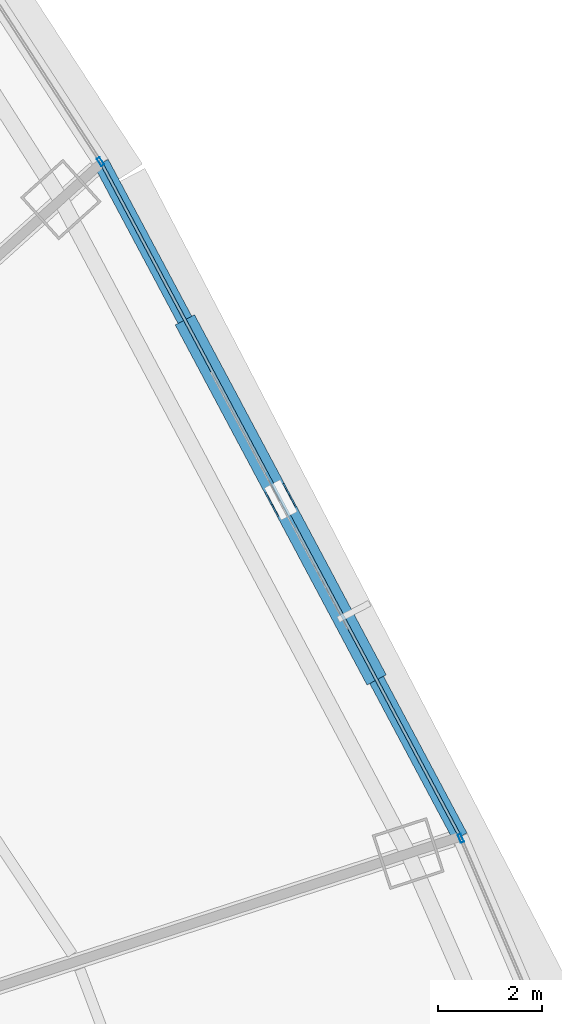
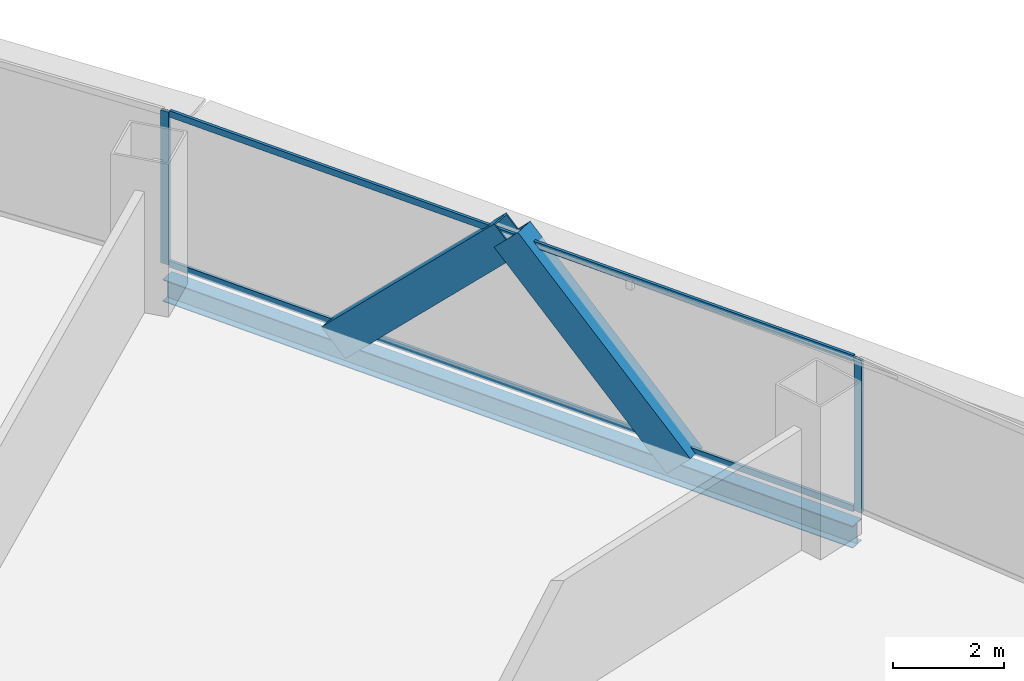
# One storey, part 24 of 40: 6 members, 1 beam, 3 elements without a shape of their own.
"""IFC4 building model written with IfcOpenShell, lengths in metres."""

from ifc_helpers import new_model, si_unit, direction, frame, origin, origin_2d, place, context, subcontext, project, spatial, hollow_rectangle, i_section, extrude, source, transform, mapped, material, layer, layer_set, material_profile, profile_set, type_object, element, aggregate, save


model = new_model("IFC4")

# Units and contexts
model_context = context("Model", 3, precision=1e-05, world=origin(), true_north=direction((0.0, 1.0)))
body_context = subcontext(model_context, "Body", "Model", "MODEL_VIEW")
ifc_project = project(units=[si_unit("LENGTHUNIT", "METRE"), si_unit("AREAUNIT", "SQUARE_METRE"), si_unit("VOLUMEUNIT", "CUBIC_METRE"), si_unit("PLANEANGLEUNIT", "RADIAN"), si_unit("MASSUNIT", "GRAM", prefix="KILO"), si_unit("THERMODYNAMICTEMPERATUREUNIT", "KELVIN"), si_unit("POWERUNIT", "WATT")], contexts=[model_context])

# Site, building, storey
site_placement = place(None, origin())
site = spatial("IfcSite", under=ifc_project, at=site_placement, CompositionType="ELEMENT")
building_placement = place(site_placement, origin())
building = spatial("IfcBuilding", under=site, at=building_placement, Name="Yunzhuo Pagoda Commons", CompositionType="ELEMENT")
storey_placement = place(building_placement, frame((0.0, 0.0, 66.699951171875)))
storey = spatial("IfcBuildingStorey", under=building, at=storey_placement, Name="L17", CompositionType="ELEMENT", Elevation=66.699951171875)

# Beam
ifc_material_1 = material(Name="Structural steel Q355B", Category="steel")
ifc_material_profile_1 = material_profile(ifc_material_1, i_section(OverallWidth=0.300048828125, OverallDepth=0.488037109375, WebThickness=0.010986328125, FlangeThickness=0.01806640625, at=origin_2d()), Name="Structural steel Q355B")
ifc_profile_set_1 = profile_set([ifc_material_profile_1], Name="Structural steel Q355B")
beam_type = type_object("IfcBeamType", Name="B-SP1 Beam HM 488x300x11x18", PredefinedType="BEAM", material=ifc_profile_set_1)
shared_shape_1 = source(origin(), body_context, "Body", "SweptSolid", [
    extrude(i_section(OverallWidth=0.300048828125, OverallDepth=0.488037109375, WebThickness=0.010986328125, FlangeThickness=0.01806640625, at=origin_2d()), origin(), (0.0, 0.0, 1.0), 14.68994140625),
])
beam_placement = place(storey_placement, frame((81.333984375, 44.531005859375, -0.50390625), z_axis=(-0.470054191836, 0.882637556836, 0.0), x_axis=(-0.882637556836, -0.470054191836, 0.0)))
element("IfcBeam", 1, at=beam_placement, inside=storey, type_object=beam_type, Name="L17 facade edge spandrel beam F2.2", PredefinedType="BEAM", context=body_context, shape_type="MappedRepresentation", body=[
    mapped(shared_shape_1, transform((0.0, 0.0, 0.0), scale=1.0)),
])

# Members
ifc_material_2 = material(Name="Structural steel Q420B", Category="steel")
ifc_material_profile_2 = material_profile(ifc_material_2, hollow_rectangle(XDim=0.419921875, YDim=0.719970703125, WallThickness=0.028076171875, at=origin_2d()), Name="Structural steel Q420B")
ifc_profile_set_2 = profile_set([ifc_material_profile_2], Name="Structural steel Q420B")
member_type_1 = type_object("IfcMemberType", Name="M-DL1 Brace BOX 720x420x28", PredefinedType="BRACE", material=ifc_profile_set_2)
shared_shape_2 = source(origin(), body_context, "Body", "SweptSolid", [
    extrude(hollow_rectangle(XDim=0.419921875, YDim=0.719970703125, WallThickness=0.028076171875, at=origin_2d()), origin(), (0.0, 0.0, 1.0), 5.163818359375),
])
for number, where, z_axis, x_axis, name in (
    (2, (79.60791015625, 47.7724609375, -0.260009765625), (-0.334310385921, 0.627724366267, 0.702992664158), (-0.882630661501, -0.470067139224, 0.0), "L17 facade diamond brace F2.2L"),
    (3, (76.1552734375, 54.25537109375, -0.260009765625), (0.334310385921, -0.627724366267, 0.702992664158), (0.882630661501, 0.470067139224, 0.0), "L17 facade diamond brace F2.2R"),
):
    element("IfcMember", number, at=place(storey_placement, frame(where, z_axis=z_axis, x_axis=x_axis)), inside=storey, type_object=member_type_1, Name=name, PredefinedType="BRACE", context=body_context, shape_type="MappedRepresentation", body=[
        mapped(shared_shape_2, transform((0.0, 0.0, 0.0), scale=1.0)),
    ])

# Curtain wall, member
ifc_material_3 = material(Name="Anodized aluminium 6063-T6", Category="aluminium")
ifc_layer = layer(ifc_material_3, 0.1650390625)
ifc_layer_set = layer_set([ifc_layer], Name="Anodized aluminium 6063-T6")
curtain_wall_type = type_object("IfcCurtainWallType", Name="CW-LOW Low-Zone Ribbon Curtain Wall", PredefinedType="NOTDEFINED", material=ifc_layer_set)
curtain_wall_1_placement = place(storey_placement, origin())
curtain_wall_1 = element("IfcCurtainWall", 4, at=curtain_wall_1_placement, inside=storey, type_object=curtain_wall_type, Name="L17 curtain wall CW-L17-F2B2", PredefinedType="NOTDEFINED")
ifc_material_profile_3 = material_profile(ifc_material_3, hollow_rectangle(XDim=0.06494140625, YDim=0.1650390625, WallThickness=0.00390625, at=origin_2d()), Name="Anodized aluminium 6063-T6")
ifc_profile_set_3 = profile_set([ifc_material_profile_3], Name="Anodized aluminium 6063-T6")
member_type_2 = type_object("IfcMemberType", Name="CW-LOW-M Mullion RHS 165x65x4", PredefinedType="MULLION", material=ifc_profile_set_3)
shared_shape_3 = source(origin(), body_context, "Body", "SweptSolid", [
    extrude(hollow_rectangle(XDim=0.06494140625, YDim=0.1650390625, WallThickness=0.00390625, at=origin_2d()), origin(), (0.0, 0.0, 1.0), 3.3701171875),
])
member_1_placement = place(storey_placement, frame((81.346923828125, 44.5009765625, 0.0), z_axis=(0.0, 0.0, 1.0), x_axis=(-0.919121093161, -0.39397514656, 0.0)))
member_1 = element("IfcMember", 5, at=member_1_placement, type_object=member_type_2, Name="CW mullion 2", PredefinedType="MULLION", context=body_context, shape_type="MappedRepresentation", body=[
    mapped(shared_shape_3, transform((0.0, 0.0, 0.0), scale=1.0)),
])
aggregate(curtain_wall_1, [member_1])

curtain_wall_2_placement = place(storey_placement, origin())
curtain_wall_2 = element("IfcCurtainWall", 6, at=curtain_wall_2_placement, inside=storey, type_object=curtain_wall_type, Name="L17 curtain wall CW-L17-F2B4", PredefinedType="NOTDEFINED")
member_2_placement = place(storey_placement, frame((74.411376953125, 57.524169921875, 0.0), z_axis=(0.0, 0.0, 1.0), x_axis=(-0.838840312647, -0.54437756188, 0.0)))
member_2 = element("IfcMember", 7, at=member_2_placement, type_object=member_type_2, Name="CW mullion 1", PredefinedType="MULLION", context=body_context, shape_type="MappedRepresentation", body=[
    mapped(shared_shape_3, transform((0.0, 0.0, 0.0), scale=1.0)),
])
aggregate(curtain_wall_2, [member_2])

# Curtain wall, members
curtain_wall_3_placement = place(storey_placement, origin())
curtain_wall_3 = element("IfcCurtainWall", 8, at=curtain_wall_3_placement, inside=storey, type_object=curtain_wall_type, Name="L17 curtain wall CW-L17-F2B3", PredefinedType="NOTDEFINED")
ifc_material_profile_4 = material_profile(ifc_material_3, hollow_rectangle(XDim=0.06005859375, YDim=0.139892578125, WallThickness=0.00341796875, at=origin_2d()), Name="Anodized aluminium 6063-T6")
ifc_profile_set_4 = profile_set([ifc_material_profile_4], Name="Anodized aluminium 6063-T6")
member_type_3 = type_object("IfcMemberType", Name="CW-LOW-T Transom RHS 140x60x3.5", PredefinedType="USERDEFINED", material=ifc_profile_set_4)
shared_shape_4 = source(origin(), body_context, "Body", "SweptSolid", [
    extrude(hollow_rectangle(XDim=0.06005859375, YDim=0.139892578125, WallThickness=0.00341796875, at=origin_2d()), origin(), (0.0, 0.0, 1.0), 14.559814453125),
])
member_3_placement = place(storey_placement, frame((81.303466796875, 44.58837890625, 0.0302734375), z_axis=(-0.470058129853, 0.882635459609, 0.0), x_axis=(-0.882635459609, -0.470058129853, 0.0)))
member_3 = element("IfcMember", 9, at=member_3_placement, type_object=member_type_3, Name="CW transom 1.1", ObjectType="TRANSOM", PredefinedType="USERDEFINED", context=body_context, shape_type="MappedRepresentation", body=[
    mapped(shared_shape_4, transform((0.0, 0.0, 0.0), scale=1.0)),
])
member_4_placement = place(storey_placement, frame((81.303466796875, 44.58837890625, 3.340087890625), z_axis=(-0.470058129853, 0.882635459609, 0.0), x_axis=(-0.882635459609, -0.470058129853, 0.0)))
member_4 = element("IfcMember", 10, at=member_4_placement, type_object=member_type_3, Name="CW transom 1.2", ObjectType="TRANSOM", PredefinedType="USERDEFINED", context=body_context, shape_type="MappedRepresentation", body=[
    mapped(shared_shape_4, transform((0.0, 0.0, 0.0), scale=1.0)),
])
aggregate(curtain_wall_3, [member_3, member_4])

save(model, "model.ifc")
